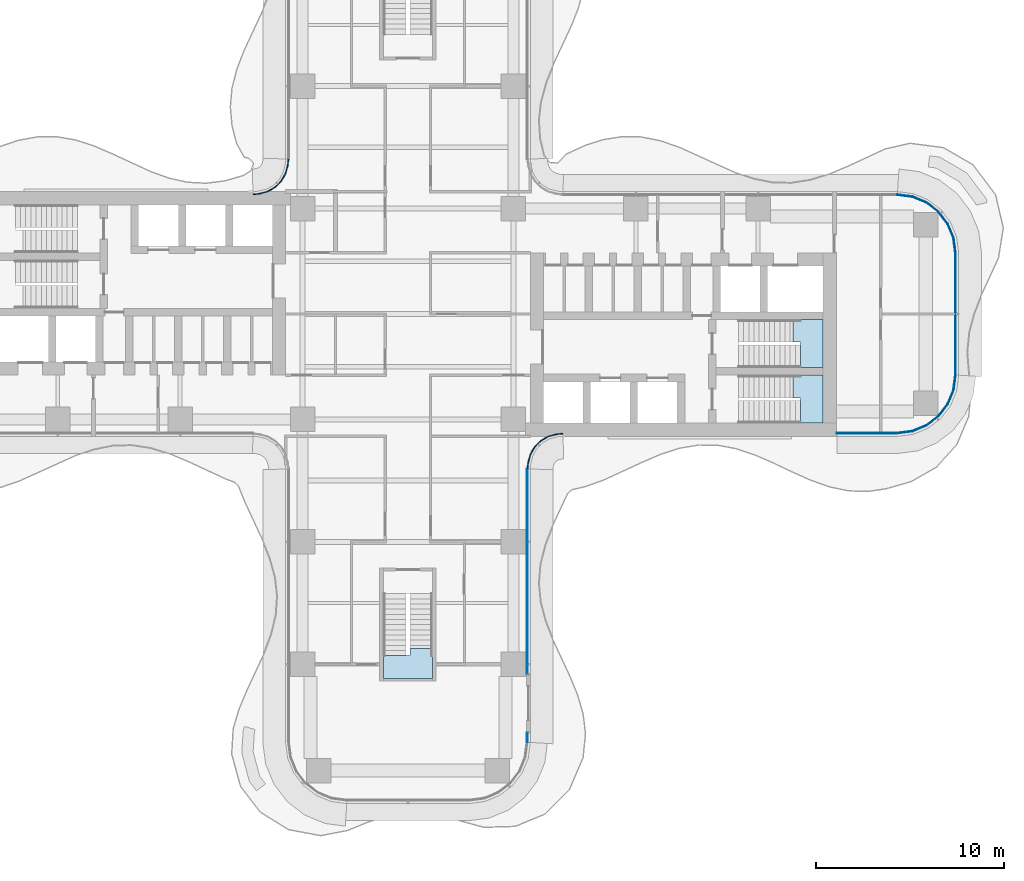
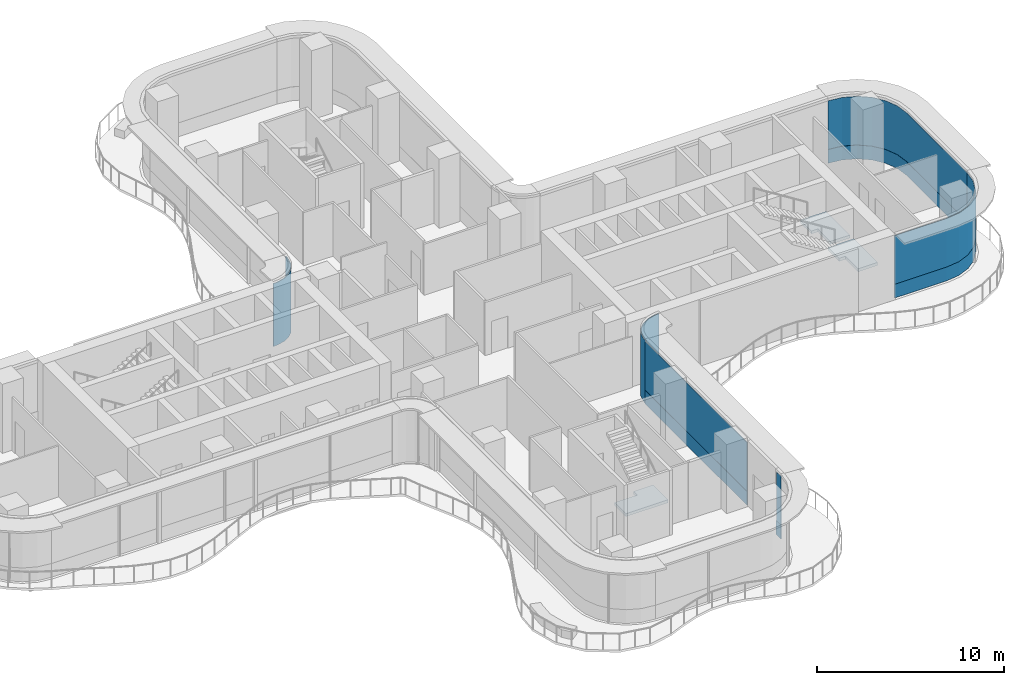
# One storey, part 14 of 21: 10 plates, 3 slabs, 9 elements without a shape of their own.
"""IFC4 building model written with IfcOpenShell, lengths in metres."""

from ifc_helpers import new_model, si_unit, direction, frame, origin, place, context, subcontext, project, spatial, polyline, outline, extrude, source, transform, mapped, material, layer, layer_set, type_object, element, aggregate, save


model = new_model("IFC4")

# Units and contexts
model_context = context("Model", 3, precision=1e-05, world=origin(), true_north=direction((0.0, 1.0)))
body_context = subcontext(model_context, "Body", "Model", "MODEL_VIEW")
ifc_project = project(units=[si_unit("LENGTHUNIT", "METRE"), si_unit("AREAUNIT", "SQUARE_METRE"), si_unit("VOLUMEUNIT", "CUBIC_METRE"), si_unit("PLANEANGLEUNIT", "RADIAN"), si_unit("MASSUNIT", "GRAM", prefix="KILO")], contexts=[model_context])

# Site, building, storey
site_placement = place(None, origin())
site = spatial("IfcSite", under=ifc_project, at=site_placement, CompositionType="ELEMENT")
building_placement = place(site_placement, origin())
building = spatial("IfcBuilding", under=site, at=building_placement, Name="Trellis Farm Tower", CompositionType="ELEMENT")
storey_placement = place(building_placement, frame((0.0, 0.0, 138.0)))
storey = spatial("IfcBuildingStorey", under=building, at=storey_placement, Name="L29", CompositionType="ELEMENT", Elevation=138.0)

# Curtain wall, plate
ifc_material_1 = material(Name="Aluminium and glass curtain wall", Category="aluminium")
ifc_layer_1 = layer(ifc_material_1, 0.18994140625)
ifc_layer_set_1 = layer_set([ifc_layer_1], Name="RIBBON CURTAIN WALL CW1")
curtain_wall_type_1 = type_object("IfcCurtainWallType", Name="RIBBON CURTAIN WALL CW1", PredefinedType="NOTDEFINED", material=ifc_layer_set_1)
placement_1 = place(storey_placement, origin())
curtain_wall_1 = element("IfcCurtainWall", 1, at=placement_1, inside=storey, type_object=curtain_wall_type_1, Name="CW1 004", PredefinedType="NOTDEFINED")
ifc_material_2 = material(Name="Clear insulated glass", Category="glass")
ifc_layer_2 = layer(ifc_material_2, 0.0400390625)
ifc_layer_set_2 = layer_set([ifc_layer_2], Name="CW1 GLASS PANEL 40")
plate_type_1 = type_object("IfcPlateType", Name="CW1 GLASS PANEL 40", PredefinedType="CURTAIN_PANEL", material=ifc_layer_set_2)
placement_2 = place(storey_placement, frame((0.0, 0.0, 0.89990234375)))
plate_1 = element("IfcPlate", 2, at=placement_2, type_object=plate_type_1, Name="PL1 004", PredefinedType="CURTAIN_PANEL", context=body_context, shape_type="SweptSolid", body=[
    extrude(outline(polyline([(6.35009765625, -22.740234375), (6.35009765625, -22.235107421875), (6.31005859375, -22.235107421875), (6.31005859375, -22.737548828125), (6.35009765625, -22.740234375)])), origin(), (0.0, 0.0, 1.0), 3.170166015625),
])

curtain_wall_2 = element("IfcCurtainWall", 3, at=placement_1, inside=storey, type_object=curtain_wall_type_1, Name="CW1 005", PredefinedType="NOTDEFINED")
plate_2 = element("IfcPlate", 4, at=placement_2, type_object=plate_type_1, Name="PL1 005", PredefinedType="CURTAIN_PANEL", context=body_context, shape_type="SweptSolid", body=[
    extrude(outline(polyline([(6.35009765625, -19.114990234375), (6.35009765625, -8.2265625), (6.31005859375, -8.22509765625), (6.31005859375, -19.114990234375), (6.35009765625, -19.114990234375)])), origin(), (0.0, 0.0, 1.0), 3.170166015625),
])

# Stair, slab
ifc_material_3 = material(Name="Concrete C50/60", Category="concrete")
stair_type = type_object("IfcStairType", Name="CORE EXIT STAIR 26 RISERS 173 MM", PredefinedType="HALF_TURN_STAIR", material=ifc_material_3)
stair_1 = element("IfcStair", 5, at=placement_1, inside=storey, type_object=stair_type, Name="Exit stair S", PredefinedType="HALF_TURN_STAIR")
ifc_layer_3 = layer(ifc_material_3, 0.18994140625)
ifc_layer_set_3 = layer_set([ifc_layer_3], Name="CORE STAIR LANDING 190 CONCRETE C50/60")
slab_type = type_object("IfcSlabType", Name="CORE STAIR LANDING 190 CONCRETE C50/60", PredefinedType="LANDING", material=ifc_layer_set_3)
shared_shape_1 = source(origin(), body_context, "Body", "SweptSolid", [
    extrude(outline(polyline([(1.300048828125, -19.35009765625), (-1.300048828125, -19.35009765625), (-1.300048828125, -18.14990234375), (-1.300048828125, -18.139892578125), (-0.10009765625, -18.139892578125), (-0.10009765625, -18.14990234375), (0.10009765625, -18.14990234375), (0.10009765625, -17.753173828125), (1.300048828125, -17.753173828125), (1.300048828125, -18.14990234375), (1.300048828125, -19.35009765625)])), origin(), (0.0, 0.0, 1.0), 0.18994140625),
])
placement_3 = place(storey_placement, frame((0.0, 0.0, 2.06005859375)))
slab_1 = element("IfcSlab", 6, at=placement_3, type_object=slab_type, Name="STS landing 1", PredefinedType="LANDING", context=body_context, shape_type="MappedRepresentation", body=[
    mapped(shared_shape_1, transform((0.0, 0.0, 0.0))),
])
aggregate(stair_1, [slab_1])

stair_2 = element("IfcStair", 7, at=placement_1, inside=storey, type_object=stair_type, Name="Exit stair E1", PredefinedType="HALF_TURN_STAIR")
shared_shape_2 = source(origin(), body_context, "Body", "SweptSolid", [
    extrude(outline(polyline([(20.840087890625, -5.800048828125), (20.840087890625, -4.60009765625), (20.85009765625, -4.60009765625), (20.85009765625, -4.449951171875), (20.453125, -4.449951171875), (20.453125, -3.25), (20.85009765625, -3.25), (22.050048828125, -3.25), (22.050048828125, -5.800048828125), (20.85009765625, -5.800048828125), (20.840087890625, -5.800048828125)])), origin(), (0.0, 0.0, 1.0), 0.18994140625),
])
slab_2 = element("IfcSlab", 8, at=placement_3, type_object=slab_type, Name="STE1 landing 1", PredefinedType="LANDING", context=body_context, shape_type="MappedRepresentation", body=[
    mapped(shared_shape_2, transform((0.0, 0.0, 0.0))),
])
aggregate(stair_2, [slab_2])

stair_3 = element("IfcStair", 9, at=placement_1, inside=storey, type_object=stair_type, Name="Exit stair E2", PredefinedType="HALF_TURN_STAIR")
shared_shape_3 = source(origin(), body_context, "Body", "SweptSolid", [
    extrude(outline(polyline([(20.840087890625, -2.85009765625), (20.840087890625, -1.64990234375), (20.85009765625, -1.64990234375), (20.85009765625, -1.5), (20.453125, -1.5), (20.453125, -0.300048828125), (20.85009765625, -0.300048828125), (22.050048828125, -0.300048828125), (22.050048828125, -2.85009765625), (20.85009765625, -2.85009765625), (20.840087890625, -2.85009765625)])), origin(), (0.0, 0.0, 1.0), 0.18994140625),
])
slab_3 = element("IfcSlab", 10, at=placement_3, type_object=slab_type, Name="STE2 landing 1", PredefinedType="LANDING", context=body_context, shape_type="MappedRepresentation", body=[
    mapped(shared_shape_3, transform((0.0, 0.0, 0.0))),
])
aggregate(stair_3, [slab_3])

# Curtain wall, plate
ifc_layer_4 = layer(ifc_material_1, 0.166015625)
ifc_layer_set_4 = layer_set([ifc_layer_4], Name="WINTER GARDEN CURTAIN WALL CW3")
curtain_wall_type_2 = type_object("IfcCurtainWallType", Name="WINTER GARDEN CURTAIN WALL CW3", PredefinedType="NOTDEFINED", material=ifc_layer_set_4)
curtain_wall_3 = element("IfcCurtainWall", 11, at=placement_1, inside=storey, type_object=curtain_wall_type_2, Name="CW3 002", PredefinedType="NOTDEFINED")
ifc_layer_5 = layer(ifc_material_2, 0.0458984375)
ifc_layer_set_5 = layer_set([ifc_layer_5], Name="CW3 GLASS PANEL 46")
plate_type_2 = type_object("IfcPlateType", Name="CW3 GLASS PANEL 46", PredefinedType="CURTAIN_PANEL", material=ifc_layer_set_5)
shared_shape_4 = source(origin(), body_context, "Body", "SweptSolid", [
    extrude(outline(polyline([(6.3798828125, -8.2275390625), (6.394287109375, -8.0078125), (6.40966796875, -7.89208984375), (6.52490234375, -7.462158203125), (6.7509765625, -7.070556640625), (7.070556640625, -6.7509765625), (7.462158203125, -6.52490234375), (7.89208984375, -6.40966796875), (8.0078125, -6.394287109375), (8.2275390625, -6.3798828125), (8.22607421875, -6.333984375), (8.003173828125, -6.3486328125), (7.883056640625, -6.364501953125), (7.4443359375, -6.48193359375), (7.04248046875, -6.714111328125), (6.714111328125, -7.04248046875), (6.48193359375, -7.4443359375), (6.364501953125, -7.883056640625), (6.3486328125, -8.003173828125), (6.333984375, -8.22607421875), (6.3798828125, -8.2275390625)])), origin(), (0.0, 0.0, 1.0), 4.10009765625),
])
plate_3 = element("IfcPlate", 12, at=placement_1, type_object=plate_type_2, Name="PL3 002", PredefinedType="CURTAIN_PANEL", context=body_context, shape_type="MappedRepresentation", body=[
    mapped(shared_shape_4, transform((0.0, 0.0, 0.0))),
])
aggregate(curtain_wall_3, [plate_3])

curtain_wall_4 = element("IfcCurtainWall", 13, at=placement_1, inside=storey, type_object=curtain_wall_type_2, Name="CW3 004", PredefinedType="NOTDEFINED")
shared_shape_5 = source(origin(), body_context, "Body", "SweptSolid", [
    extrude(outline(polyline([(-6.3798828125, 8.2275390625), (-6.394287109375, 8.0078125), (-6.40966796875, 7.89208984375), (-6.52490234375, 7.462158203125), (-6.7509765625, 7.070556640625), (-7.070556640625, 6.7509765625), (-7.462158203125, 6.52490234375), (-7.89208984375, 6.40966796875), (-8.0078125, 6.394287109375), (-8.2275390625, 6.3798828125), (-8.22607421875, 6.333984375), (-8.003173828125, 6.3486328125), (-7.883056640625, 6.364501953125), (-7.4443359375, 6.48193359375), (-7.04248046875, 6.714111328125), (-6.714111328125, 7.04248046875), (-6.48193359375, 7.4443359375), (-6.364501953125, 7.883056640625), (-6.3486328125, 8.003173828125), (-6.333984375, 8.22607421875), (-6.3798828125, 8.2275390625)])), origin(), (0.0, 0.0, 1.0), 4.10009765625),
])
plate_4 = element("IfcPlate", 14, at=placement_1, type_object=plate_type_2, Name="PL3 004", PredefinedType="CURTAIN_PANEL", context=body_context, shape_type="MappedRepresentation", body=[
    mapped(shared_shape_5, transform((0.0, 0.0, 0.0))),
])
aggregate(curtain_wall_4, [plate_4])

# Curtain wall, plates
curtain_wall_5 = element("IfcCurtainWall", 15, at=placement_1, inside=storey, type_object=curtain_wall_type_1, Name="CW1 006", PredefinedType="NOTDEFINED")
shared_shape_6 = source(origin(), body_context, "Body", "SweptSolid", [
    extrude(outline(polyline([(22.780029296875, -6.35009765625), (25.990234375, -6.35009765625), (26.802001953125, -6.2431640625), (27.54931640625, -5.93359375), (28.191162109375, -5.441162109375), (28.68359375, -4.79931640625), (28.9931640625, -4.052001953125), (29.10009765625, -3.240234375), (29.06005859375, -3.237548828125), (28.9541015625, -4.04150390625), (28.648681640625, -4.779296875), (28.16259765625, -5.41259765625), (27.529296875, -5.898681640625), (26.79150390625, -6.2041015625), (25.987548828125, -6.31005859375), (22.780029296875, -6.31005859375), (22.780029296875, -6.35009765625)])), origin(), (0.0, 0.0, 1.0), 3.170166015625),
])
plate_5 = element("IfcPlate", 16, at=placement_2, type_object=plate_type_1, Name="PL1 006", PredefinedType="CURTAIN_PANEL", context=body_context, shape_type="MappedRepresentation", body=[
    mapped(shared_shape_6, transform((0.0, 0.0, 0.0))),
])
ifc_material_4 = material(Name="Sandstone faced insulated panel", Category="masonry")
ifc_layer_6 = layer(ifc_material_4, 0.050048828125)
ifc_layer_set_6 = layer_set([ifc_layer_6], Name="CW1 STONE SPANDREL PANEL 50")
plate_type_3 = type_object("IfcPlateType", Name="CW1 STONE SPANDREL PANEL 50", PredefinedType="CURTAIN_PANEL", material=ifc_layer_set_6)
shared_shape_7 = source(origin(), body_context, "Body", "SweptSolid", [
    extrude(outline(polyline([(22.780029296875, -6.35009765625), (25.990234375, -6.35009765625), (26.802001953125, -6.2431640625), (27.54931640625, -5.93359375), (28.191162109375, -5.441162109375), (28.68359375, -4.79931640625), (28.9931640625, -4.052001953125), (29.10009765625, -3.240234375), (29.050048828125, -3.23681640625), (28.9443359375, -4.0390625), (28.639892578125, -4.774169921875), (28.155517578125, -5.405517578125), (27.524169921875, -5.889892578125), (26.7890625, -6.1943359375), (25.98681640625, -6.300048828125), (22.780029296875, -6.300048828125), (22.780029296875, -6.35009765625)])), origin(), (0.0, 0.0, 1.0), 0.89990234375),
])
plate_6 = element("IfcPlate", 17, at=placement_1, type_object=plate_type_3, Name="PS1 006", PredefinedType="CURTAIN_PANEL", context=body_context, shape_type="MappedRepresentation", body=[
    mapped(shared_shape_7, transform((0.0, 0.0, 0.0))),
])
aggregate(curtain_wall_5, [plate_5, plate_6])

curtain_wall_6 = element("IfcCurtainWall", 18, at=placement_1, inside=storey, type_object=curtain_wall_type_1, Name="CW1 007", PredefinedType="NOTDEFINED")
shared_shape_8 = source(origin(), body_context, "Body", "SweptSolid", [
    extrude(outline(polyline([(29.10009765625, -3.240234375), (29.10009765625, 3.240234375), (28.9931640625, 4.052001953125), (28.68359375, 4.79931640625), (28.191162109375, 5.441162109375), (27.54931640625, 5.93359375), (26.802001953125, 6.2431640625), (25.990234375, 6.35009765625), (25.987548828125, 6.31005859375), (26.79150390625, 6.2041015625), (27.529296875, 5.898681640625), (28.16259765625, 5.41259765625), (28.648681640625, 4.779296875), (28.9541015625, 4.04150390625), (29.06005859375, 3.237548828125), (29.06005859375, -3.237548828125), (29.10009765625, -3.240234375)])), origin(), (0.0, 0.0, 1.0), 3.170166015625),
])
plate_7 = element("IfcPlate", 19, at=placement_2, type_object=plate_type_1, Name="PL1 007", PredefinedType="CURTAIN_PANEL", context=body_context, shape_type="MappedRepresentation", body=[
    mapped(shared_shape_8, transform((0.0, 0.0, 0.0))),
])
shared_shape_9 = source(origin(), body_context, "Body", "SweptSolid", [
    extrude(outline(polyline([(29.10009765625, -3.240234375), (29.10009765625, 3.240234375), (28.9931640625, 4.052001953125), (28.68359375, 4.79931640625), (28.191162109375, 5.441162109375), (27.54931640625, 5.93359375), (26.802001953125, 6.2431640625), (25.990234375, 6.35009765625), (25.98681640625, 6.300048828125), (26.7890625, 6.1943359375), (27.524169921875, 5.889892578125), (28.155517578125, 5.405517578125), (28.639892578125, 4.774169921875), (28.9443359375, 4.0390625), (29.050048828125, 3.23681640625), (29.050048828125, -3.23681640625), (29.10009765625, -3.240234375)])), origin(), (0.0, 0.0, 1.0), 0.89990234375),
])
plate_8 = element("IfcPlate", 20, at=placement_1, type_object=plate_type_3, Name="PS1 007", PredefinedType="CURTAIN_PANEL", context=body_context, shape_type="MappedRepresentation", body=[
    mapped(shared_shape_9, transform((0.0, 0.0, 0.0))),
])
aggregate(curtain_wall_6, [plate_7, plate_8])

# Plate
shared_shape_10 = source(origin(), body_context, "Body", "SweptSolid", [
    extrude(outline(polyline([(6.35009765625, -22.740234375), (6.35009765625, -22.235107421875), (6.300048828125, -22.235107421875), (6.300048828125, -22.73681640625), (6.35009765625, -22.740234375)])), origin(), (0.0, 0.0, 1.0), 0.89990234375),
])
plate_9 = element("IfcPlate", 21, at=placement_1, type_object=plate_type_3, Name="PS1 004", PredefinedType="CURTAIN_PANEL", context=body_context, shape_type="MappedRepresentation", body=[
    mapped(shared_shape_10, transform((0.0, 0.0, 0.0))),
])

aggregate(curtain_wall_1, [plate_1, plate_9])

shared_shape_11 = source(origin(), body_context, "Body", "SweptSolid", [
    extrude(outline(polyline([(6.35009765625, -19.114990234375), (6.35009765625, -8.2265625), (6.300048828125, -8.224853515625), (6.300048828125, -19.114990234375), (6.35009765625, -19.114990234375)])), origin(), (0.0, 0.0, 1.0), 0.89990234375),
])
plate_10 = element("IfcPlate", 22, at=placement_1, type_object=plate_type_3, Name="PS1 005", PredefinedType="CURTAIN_PANEL", context=body_context, shape_type="MappedRepresentation", body=[
    mapped(shared_shape_11, transform((0.0, 0.0, 0.0))),
])

aggregate(curtain_wall_2, [plate_2, plate_10])

save(model, "model.ifc")
